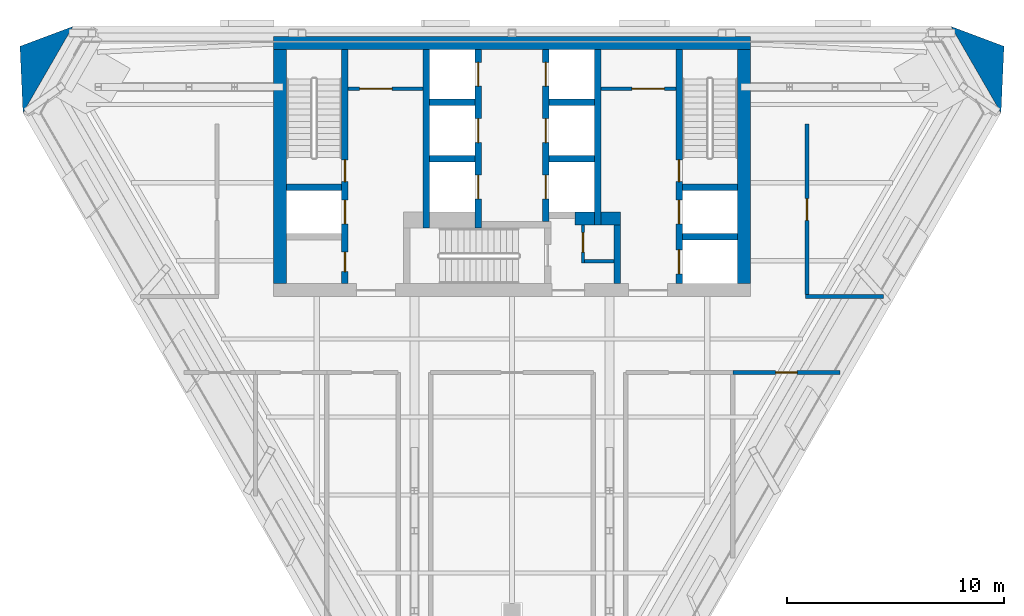
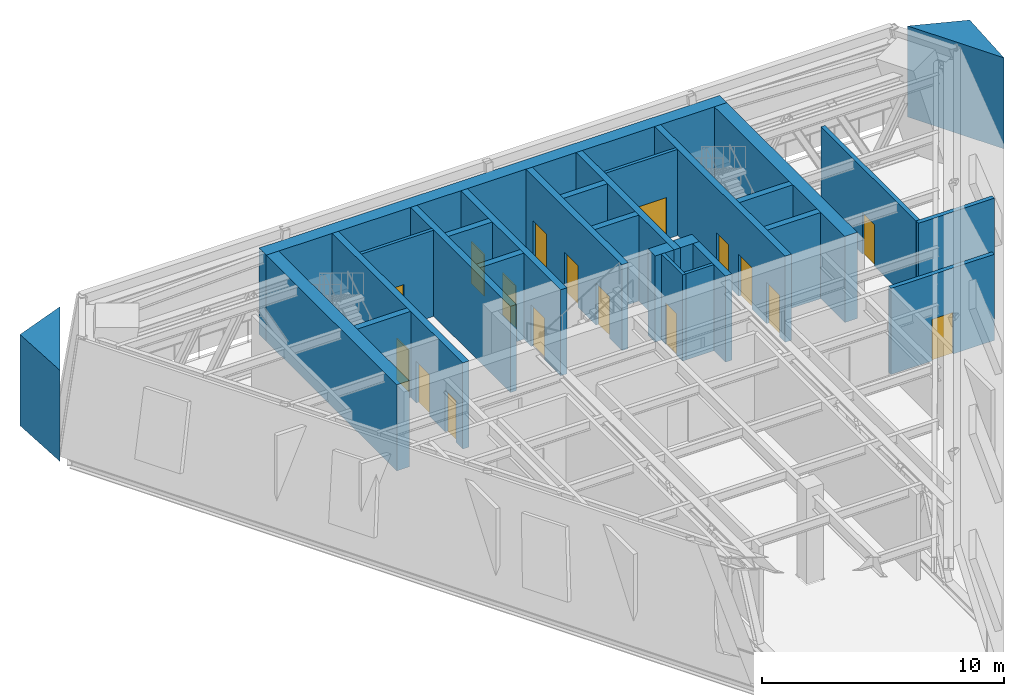
# One storey, part 4 of 11: 28 walls, 17 doors, 17 openings.
"""IFC4 building model written with IfcOpenShell, lengths in metres."""

from ifc_helpers import new_model, si_unit, direction, frame, frame_2d, origin, place, context, subcontext, project, spatial, polyline, rectangle, outline, extrude, material, layer, layer_set, type_object, element, fill, save


model = new_model("IFC4")

# Units and contexts
model_context = context("Model", 3, precision=1e-05, world=origin(), true_north=direction((0.0, 1.0)))
body_context = subcontext(model_context, "Body", "Model", "MODEL_VIEW")
ifc_project = project(units=[si_unit("LENGTHUNIT", "METRE"), si_unit("AREAUNIT", "SQUARE_METRE"), si_unit("VOLUMEUNIT", "CUBIC_METRE"), si_unit("PLANEANGLEUNIT", "RADIAN"), si_unit("MASSUNIT", "GRAM", prefix="KILO")], contexts=[model_context])

# Site, building, storey
site_placement = place(None, origin())
site = spatial("IfcSite", under=ifc_project, at=site_placement, CompositionType="ELEMENT")
building_placement = place(site_placement, origin())
building = spatial("IfcBuilding", under=site, at=building_placement, Name="Aloe Facet Convention Tower", CompositionType="ELEMENT")
storey_placement = place(building_placement, frame((0.0, 0.0, 175.39990234375)))
storey = spatial("IfcBuildingStorey", under=building, at=storey_placement, Name="L44", CompositionType="ELEMENT", Elevation=175.39990234375)

# Wall, opening, door
ifc_material_1 = material(Name="Concrete blockwork partition", Category="masonry")
ifc_layer_1 = layer(ifc_material_1, 0.14990234375)
ifc_layer_set_1 = layer_set([ifc_layer_1], Name="CR-W-PART150")
wall_type_1 = type_object("IfcWallType", Name="CR-W-PART150", PredefinedType="PARTITIONING", material=ifc_layer_set_1)
wall_1_placement = place(storey_placement, frame((72.449951171875, 132.125, 0.0), z_axis=(0.0, 0.0, 1.0), x_axis=(1.0, 0.0, 0.0)))
wall_1 = element("IfcWall", 1, at=wall_1_placement, inside=storey, type_object=wall_type_1, Name="Core partition L44-007", PredefinedType="PARTITIONING", context=body_context, shape_type="SweptSolid", body=[
    extrude(rectangle(XDim=3.449951171875, YDim=0.14990234375, at=frame_2d((1.72509765625, 0.0))), origin(), (0.0, 0.0, 1.0), 4.35009765625),
])
opening_1_placement = place(wall_1_placement, frame((0.52490234375, 0.0, 0.0)))
opening_1 = element("IfcOpeningElement", 2, at=opening_1_placement, cuts=wall_1, Name="Opening L44-CD14", PredefinedType="OPENING", context=body_context, shape_type="SweptSolid", body=[
    extrude(rectangle(XDim=1.5, YDim=2.10009765625, at=frame_2d((0.75, 1.050048828125))), frame((0.0, 0.0849609375, 0.0), z_axis=(0.0, -1.0, 0.0), x_axis=(1.0, 0.0, 0.0)), (0.0, 0.0, 1.0), 0.169921875),
])
ifc_material_2 = material(Name="Steel fire-resisting door set FD60", Category="steel")
door_type_1 = type_object("IfcDoorType", Name="CR-D-REFUGE-1500-FD60-DD", OperationType="DOUBLE_DOOR_DOUBLE_SWING", PredefinedType="DOOR", material=ifc_material_2)
door_1_placement = place(opening_1_placement, origin())
door_1 = element("IfcDoor", 3, at=door_1_placement, inside=storey, type_object=door_type_1, Name="Core door L44-CD14", OperationType="DOUBLE_DOOR_DOUBLE_SWING", OverallHeight=2.10009765625, OverallWidth=1.5, PredefinedType="DOOR", context=body_context, shape_type="SweptSolid", body=[
    extrude(rectangle(XDim=1.5, YDim=2.10009765625, at=frame_2d((0.75, 1.050048828125))), frame((0.0, 0.02490234375, 0.0), z_axis=(0.0, -1.0, 0.0), x_axis=(1.0, 0.0, 0.0)), (0.0, 0.0, 1.0), 0.050048828125),
])
fill(opening_1, door_1)

wall_2_placement = place(storey_placement, frame((83.27490234375, 125.85009765625, 0.0), z_axis=(0.0, 0.0, 1.0), x_axis=(0.0, -1.0, 0.0)))
wall_2 = element("IfcWall", 4, at=wall_2_placement, inside=storey, type_object=wall_type_1, Name="Core partition L44-022", PredefinedType="PARTITIONING", context=body_context, shape_type="SweptSolid", body=[
    extrude(rectangle(XDim=1.75, YDim=0.14990234375, at=frame_2d((0.875, 0.0))), origin(), (0.0, 0.0, 1.0), 4.35009765625),
])
opening_2_placement = place(wall_2_placement, frame((0.35009765625, 0.0, 0.0)))
opening_2 = element("IfcOpeningElement", 5, at=opening_2_placement, cuts=wall_2, Name="Opening L44-CD12", PredefinedType="OPENING", context=body_context, shape_type="SweptSolid", body=[
    extrude(rectangle(XDim=0.89990234375, YDim=2.10009765625, at=frame_2d((0.449951171875, 1.050048828125))), frame((0.0, 0.0849609375, 0.0), z_axis=(0.0, -1.0, 0.0), x_axis=(1.0, 0.0, 0.0)), (0.0, 0.0, 1.0), 0.169921875),
])
ifc_material_3 = material(Name="Steel fire-resisting door set FD60", Category="steel")
door_type_2 = type_object("IfcDoorType", Name="CR-D-REFUGE-900-FD60-SRIGHT", OperationType="SINGLE_SWING_RIGHT", PredefinedType="DOOR", material=ifc_material_3)
door_2_placement = place(opening_2_placement, origin())
door_2 = element("IfcDoor", 6, at=door_2_placement, inside=storey, type_object=door_type_2, Name="Core door L44-CD12", OperationType="SINGLE_SWING_RIGHT", OverallHeight=2.10009765625, OverallWidth=0.89990234375, PredefinedType="DOOR", context=body_context, shape_type="SweptSolid", body=[
    extrude(rectangle(XDim=0.89990234375, YDim=2.10009765625, at=frame_2d((0.449951171875, 1.050048828125))), frame((0.0, 0.02490234375, 0.0), z_axis=(0.0, -1.0, 0.0), x_axis=(1.0, 0.0, 0.0)), (0.0, 0.0, 1.0), 0.050048828125),
])
fill(opening_2, door_2)

# Wall
wall_3_placement = place(storey_placement, frame((83.35009765625, 124.175048828125, 0.0), z_axis=(0.0, 0.0, 1.0), x_axis=(1.0, 0.0, 0.0)))
element("IfcWall", 7, at=wall_3_placement, inside=storey, type_object=wall_type_1, Name="Core partition L44-023", PredefinedType="PARTITIONING", context=body_context, shape_type="SweptSolid", body=[
    extrude(rectangle(XDim=1.349853515625, YDim=0.14990234375, at=frame_2d((0.6748046875, 0.0))), origin(), (0.0, 0.0, 1.0), 4.35009765625),
])

# Wall, opening, door
wall_4_placement = place(storey_placement, frame((84.10009765625, 132.125, 0.0), z_axis=(0.0, 0.0, 1.0), x_axis=(1.0, 0.0, 0.0)))
wall_4 = element("IfcWall", 8, at=wall_4_placement, inside=storey, type_object=wall_type_1, Name="Core partition L44-025", PredefinedType="PARTITIONING", context=body_context, shape_type="SweptSolid", body=[
    extrude(rectangle(XDim=3.449951171875, YDim=0.14990234375, at=frame_2d((1.72509765625, 0.0))), origin(), (0.0, 0.0, 1.0), 4.35009765625),
])
opening_3_placement = place(wall_4_placement, frame((1.425048828125, 0.0, 0.0)))
opening_3 = element("IfcOpeningElement", 9, at=opening_3_placement, cuts=wall_4, Name="Opening L44-CD13", PredefinedType="OPENING", context=body_context, shape_type="SweptSolid", body=[
    extrude(rectangle(XDim=1.5, YDim=2.10009765625, at=frame_2d((0.75, 1.050048828125))), frame((0.0, 0.0849609375, 0.0), z_axis=(0.0, -1.0, 0.0), x_axis=(1.0, 0.0, 0.0)), (0.0, 0.0, 1.0), 0.169921875),
])
door_3_placement = place(opening_3_placement, origin())
door_3 = element("IfcDoor", 10, at=door_3_placement, inside=storey, type_object=door_type_1, Name="Core door L44-CD13", OperationType="DOUBLE_DOOR_DOUBLE_SWING", OverallHeight=2.10009765625, OverallWidth=1.5, PredefinedType="DOOR", context=body_context, shape_type="SweptSolid", body=[
    extrude(rectangle(XDim=1.5, YDim=2.10009765625, at=frame_2d((0.75, 1.050048828125))), frame((0.0, 0.02490234375, 0.0), z_axis=(0.0, -1.0, 0.0), x_axis=(1.0, 0.0, 0.0)), (0.0, 0.0, 1.0), 0.050048828125),
])
fill(opening_3, door_3)

# Wall
ifc_material_4 = material(Name="Concrete C60/75", Category="concrete")
ifc_layer_2 = layer(ifc_material_4, 0.300048828125)
ifc_layer_set_2 = layer_set([ifc_layer_2], Name="CR-W-RC300-C6075")
wall_type_2 = type_object("IfcWallType", Name="CR-W-RC300-C6075", PredefinedType="SOLIDWALL", material=ifc_layer_set_2)
wall_5_placement = place(storey_placement, frame((69.60009765625, 127.60009765625, 0.0), z_axis=(0.0, 0.0, 1.0), x_axis=(1.0, 0.0, 0.0)))
element("IfcWall", 11, at=wall_5_placement, inside=storey, type_object=wall_type_2, Name="Core wall L44-004", PredefinedType="SOLIDWALL", context=body_context, shape_type="SweptSolid", body=[
    extrude(rectangle(XDim=2.5498046875, YDim=0.300048828125, at=frame_2d((1.27490234375, 0.0))), origin(), (0.0, 0.0, 1.0), 4.35009765625),
])

# Wall, openings, doors
wall_6_placement = place(storey_placement, frame((72.300048828125, 133.949951171875, 0.0), z_axis=(0.0, 0.0, 1.0), x_axis=(0.0, -1.0, 0.0)))
wall_6 = element("IfcWall", 12, at=wall_6_placement, inside=storey, type_object=wall_type_2, Name="Core wall L44-006", PredefinedType="SOLIDWALL", context=body_context, shape_type="SweptSolid", body=[
    extrude(rectangle(XDim=10.800048828125, YDim=0.300048828125, at=frame_2d((5.39990234375, 0.0))), origin(), (0.0, 0.0, 1.0), 4.35009765625),
])
opening_4_placement = place(wall_6_placement, frame((6.949951171875, 0.0, 0.0)))
opening_4 = element("IfcOpeningElement", 13, at=opening_4_placement, cuts=wall_6, Name="Opening LD-FF1-L44", PredefinedType="OPENING", context=body_context, shape_type="SweptSolid", body=[
    extrude(rectangle(XDim=1.10009765625, YDim=2.10009765625, at=frame_2d((0.550048828125, 1.050048828125))), frame((0.0, 0.16015625, 0.0), z_axis=(0.0, -1.0, 0.0), x_axis=(1.0, 0.0, 0.0)), (0.0, 0.0, 1.0), 0.320068359375),
])
opening_5_placement = place(wall_6_placement, frame((9.35009765625, 0.0, 0.0)))
opening_5 = element("IfcOpeningElement", 14, at=opening_5_placement, cuts=wall_6, Name="Opening L44-CD15", PredefinedType="OPENING", context=body_context, shape_type="SweptSolid", body=[
    extrude(rectangle(XDim=0.89990234375, YDim=2.10009765625, at=frame_2d((0.449951171875, 1.050048828125))), frame((0.0, 0.16015625, 0.0), z_axis=(0.0, -1.0, 0.0), x_axis=(1.0, 0.0, 0.0)), (0.0, 0.0, 1.0), 0.320068359375),
])
opening_6_placement = place(wall_6_placement, frame((5.10009765625, 0.0, 0.0)))
opening_6 = element("IfcOpeningElement", 15, at=opening_6_placement, cuts=wall_6, Name="Opening L44-CD16", PredefinedType="OPENING", context=body_context, shape_type="SweptSolid", body=[
    extrude(rectangle(XDim=1.0, YDim=2.10009765625, at=frame_2d((0.5, 1.050048828125))), frame((0.0, 0.16015625, 0.0), z_axis=(0.0, -1.0, 0.0), x_axis=(1.0, 0.0, 0.0)), (0.0, 0.0, 1.0), 0.320068359375),
])
ifc_material_5 = material(Name="Steel fire-resisting door set FD60", Category="steel")
door_type_3 = type_object("IfcDoorType", Name="CR-D-ROOM-900-FD60-SLEFT", OperationType="SINGLE_SWING_LEFT", PredefinedType="DOOR", material=ifc_material_5)
door_4_placement = place(opening_5_placement, origin())
door_4 = element("IfcDoor", 16, at=door_4_placement, inside=storey, type_object=door_type_3, Name="Core door L44-CD15", OperationType="SINGLE_SWING_LEFT", OverallHeight=2.10009765625, OverallWidth=0.89990234375, PredefinedType="DOOR", context=body_context, shape_type="SweptSolid", body=[
    extrude(rectangle(XDim=0.89990234375, YDim=2.10009765625, at=frame_2d((0.449951171875, 1.050048828125))), frame((0.0, 0.02490234375, 0.0), z_axis=(0.0, -1.0, 0.0), x_axis=(1.0, 0.0, 0.0)), (0.0, 0.0, 1.0), 0.050048828125),
])
fill(opening_5, door_4)
ifc_material_6 = material(Name="Steel fire-resisting door set FD120", Category="steel")
door_type_4 = type_object("IfcDoorType", Name="CR-D-STAIR-1000-FD120-SRIGHT", OperationType="SINGLE_SWING_RIGHT", PredefinedType="DOOR", material=ifc_material_6)
door_5_placement = place(opening_6_placement, origin())
door_5 = element("IfcDoor", 17, at=door_5_placement, inside=storey, type_object=door_type_4, Name="Core door L44-CD16", OperationType="SINGLE_SWING_RIGHT", OverallHeight=2.10009765625, OverallWidth=1.0, PredefinedType="DOOR", context=body_context, shape_type="SweptSolid", body=[
    extrude(rectangle(XDim=1.0, YDim=2.10009765625, at=frame_2d((0.5, 1.050048828125))), frame((0.0, 0.02490234375, 0.0), z_axis=(0.0, -1.0, 0.0), x_axis=(1.0, 0.0, 0.0)), (0.0, 0.0, 1.0), 0.050048828125),
])
fill(opening_6, door_5)
ifc_material_7 = material(Name="Stainless steel sliding landing door", Category="steel")
door_type_5 = type_object("IfcDoorType", Name="CR-LD-1100-FD120-_LEFT", OperationType="SLIDING_TO_LEFT", PredefinedType="DOOR", material=ifc_material_7)
door_6_placement = place(opening_4_placement, origin())
door_6 = element("IfcDoor", 18, at=door_6_placement, inside=storey, type_object=door_type_5, Name="Landing door FF1 L44", OperationType="SLIDING_TO_LEFT", OverallHeight=2.10009765625, OverallWidth=1.10009765625, PredefinedType="DOOR", context=body_context, shape_type="SweptSolid", body=[
    extrude(rectangle(XDim=1.10009765625, YDim=2.10009765625, at=frame_2d((0.550048828125, 1.050048828125))), frame((0.0, 0.02490234375, 0.0), z_axis=(0.0, -1.0, 0.0), x_axis=(1.0, 0.0, 0.0)), (0.0, 0.0, 1.0), 0.050048828125),
])
fill(opening_4, door_6)

# Walls
wall_7_placement = place(storey_placement, frame((76.050048828125, 133.949951171875, 0.0), z_axis=(0.0, 0.0, 1.0), x_axis=(0.0, -1.0, 0.0)))
element("IfcWall", 19, at=wall_7_placement, inside=storey, type_object=wall_type_2, Name="Core wall L44-010", PredefinedType="SOLIDWALL", context=body_context, shape_type="SweptSolid", body=[
    extrude(rectangle(XDim=8.25, YDim=0.300048828125, at=frame_2d((4.125, 0.0))), origin(), (0.0, 0.0, 1.0), 4.35009765625),
])
for number, where, z_axis, x_axis, name in (
    (20, (76.199951171875, 131.5, 0.0), (0.0, 0.0, 1.0), (1.0, 0.0, 0.0), "Core wall L44-011"),
    (21, (76.199951171875, 128.89990234375, 0.0), (0.0, 0.0, 1.0), (1.0, 0.0, 0.0), "Core wall L44-012"),
):
    element("IfcWall", number, at=place(storey_placement, frame(where, z_axis=z_axis, x_axis=x_axis)), inside=storey, type_object=wall_type_2, Name=name, PredefinedType="SOLIDWALL", context=body_context, shape_type="SweptSolid", body=[
        extrude(rectangle(XDim=2.10009765625, YDim=0.300048828125, at=frame_2d((1.050048828125, 0.0))), origin(), (0.0, 0.0, 1.0), 4.35009765625),
    ])

# Wall, openings, doors
wall_8_placement = place(storey_placement, frame((78.449951171875, 133.949951171875, 0.0), z_axis=(0.0, 0.0, 1.0), x_axis=(0.0, -1.0, 0.0)))
wall_8 = element("IfcWall", 22, at=wall_8_placement, inside=storey, type_object=wall_type_2, Name="Core wall L44-014", PredefinedType="SOLIDWALL", context=body_context, shape_type="SweptSolid", body=[
    extrude(rectangle(XDim=8.25, YDim=0.300048828125, at=frame_2d((4.125, 0.0))), origin(), (0.0, 0.0, 1.0), 4.35009765625),
])
opening_7_placement = place(wall_8_placement, frame((0.60009765625, 0.0, 0.0)))
opening_7 = element("IfcOpeningElement", 23, at=opening_7_placement, cuts=wall_8, Name="Opening LD-B1-L44", PredefinedType="OPENING", context=body_context, shape_type="SweptSolid", body=[
    extrude(rectangle(XDim=1.10009765625, YDim=2.10009765625, at=frame_2d((0.550048828125, 1.050048828125))), frame((0.0, 0.16015625, 0.0), z_axis=(0.0, -1.0, 0.0), x_axis=(1.0, 0.0, 0.0)), (0.0, 0.0, 1.0), 0.320068359375),
])
opening_8_placement = place(wall_8_placement, frame((3.199951171875, 0.0, 0.0)))
opening_8 = element("IfcOpeningElement", 24, at=opening_8_placement, cuts=wall_8, Name="Opening LD-B2-L44", PredefinedType="OPENING", context=body_context, shape_type="SweptSolid", body=[
    extrude(rectangle(XDim=1.10009765625, YDim=2.10009765625, at=frame_2d((0.550048828125, 1.050048828125))), frame((0.0, 0.16015625, 0.0), z_axis=(0.0, -1.0, 0.0), x_axis=(1.0, 0.0, 0.0)), (0.0, 0.0, 1.0), 0.320068359375),
])
opening_9_placement = place(wall_8_placement, frame((5.800048828125, 0.0, 0.0)))
opening_9 = element("IfcOpeningElement", 25, at=opening_9_placement, cuts=wall_8, Name="Opening LD-B3-L44", PredefinedType="OPENING", context=body_context, shape_type="SweptSolid", body=[
    extrude(rectangle(XDim=1.10009765625, YDim=2.10009765625, at=frame_2d((0.550048828125, 1.050048828125))), frame((0.0, 0.16015625, 0.0), z_axis=(0.0, -1.0, 0.0), x_axis=(1.0, 0.0, 0.0)), (0.0, 0.0, 1.0), 0.320068359375),
])
ifc_material_8 = material(Name="Stainless steel sliding landing door", Category="steel")
door_type_6 = type_object("IfcDoorType", Name="CR-LD-1100-FD60-RIGHT", OperationType="SLIDING_TO_RIGHT", PredefinedType="DOOR", material=ifc_material_8)
door_7_placement = place(opening_7_placement, origin())
door_7 = element("IfcDoor", 26, at=door_7_placement, inside=storey, type_object=door_type_6, Name="Landing door B1 L44", OperationType="SLIDING_TO_RIGHT", OverallHeight=2.10009765625, OverallWidth=1.10009765625, PredefinedType="DOOR", context=body_context, shape_type="SweptSolid", body=[
    extrude(rectangle(XDim=1.10009765625, YDim=2.10009765625, at=frame_2d((0.550048828125, 1.050048828125))), frame((0.0, 0.02490234375, 0.0), z_axis=(0.0, -1.0, 0.0), x_axis=(1.0, 0.0, 0.0)), (0.0, 0.0, 1.0), 0.050048828125),
])
fill(opening_7, door_7)
door_8_placement = place(opening_8_placement, origin())
door_8 = element("IfcDoor", 27, at=door_8_placement, inside=storey, type_object=door_type_6, Name="Landing door B2 L44", OperationType="SLIDING_TO_RIGHT", OverallHeight=2.10009765625, OverallWidth=1.10009765625, PredefinedType="DOOR", context=body_context, shape_type="SweptSolid", body=[
    extrude(rectangle(XDim=1.10009765625, YDim=2.10009765625, at=frame_2d((0.550048828125, 1.050048828125))), frame((0.0, 0.02490234375, 0.0), z_axis=(0.0, -1.0, 0.0), x_axis=(1.0, 0.0, 0.0)), (0.0, 0.0, 1.0), 0.050048828125),
])
fill(opening_8, door_8)
door_9_placement = place(opening_9_placement, origin())
door_9 = element("IfcDoor", 28, at=door_9_placement, inside=storey, type_object=door_type_6, Name="Landing door B3 L44", OperationType="SLIDING_TO_RIGHT", OverallHeight=2.10009765625, OverallWidth=1.10009765625, PredefinedType="DOOR", context=body_context, shape_type="SweptSolid", body=[
    extrude(rectangle(XDim=1.10009765625, YDim=2.10009765625, at=frame_2d((0.550048828125, 1.050048828125))), frame((0.0, 0.02490234375, 0.0), z_axis=(0.0, -1.0, 0.0), x_axis=(1.0, 0.0, 0.0)), (0.0, 0.0, 1.0), 0.050048828125),
])
fill(opening_9, door_9)

wall_9_placement = place(storey_placement, frame((81.550048828125, 133.949951171875, 0.0), z_axis=(0.0, 0.0, 1.0), x_axis=(0.0, -1.0, 0.0)))
wall_9 = element("IfcWall", 29, at=wall_9_placement, inside=storey, type_object=wall_type_2, Name="Core wall L44-016", PredefinedType="SOLIDWALL", context=body_context, shape_type="SweptSolid", body=[
    extrude(rectangle(XDim=7.949951171875, YDim=0.300048828125, at=frame_2d((3.97509765625, 0.0))), origin(), (0.0, 0.0, 1.0), 4.35009765625),
])
opening_10_placement = place(wall_9_placement, frame((0.60009765625, 0.0, 0.0)))
opening_10 = element("IfcOpeningElement", 30, at=opening_10_placement, cuts=wall_9, Name="Opening LD-B4-L44", PredefinedType="OPENING", context=body_context, shape_type="SweptSolid", body=[
    extrude(rectangle(XDim=1.10009765625, YDim=2.10009765625, at=frame_2d((0.550048828125, 1.050048828125))), frame((0.0, 0.16015625, 0.0), z_axis=(0.0, -1.0, 0.0), x_axis=(1.0, 0.0, 0.0)), (0.0, 0.0, 1.0), 0.320068359375),
])
opening_11_placement = place(wall_9_placement, frame((3.199951171875, 0.0, 0.0)))
opening_11 = element("IfcOpeningElement", 31, at=opening_11_placement, cuts=wall_9, Name="Opening LD-B5-L44", PredefinedType="OPENING", context=body_context, shape_type="SweptSolid", body=[
    extrude(rectangle(XDim=1.10009765625, YDim=2.10009765625, at=frame_2d((0.550048828125, 1.050048828125))), frame((0.0, 0.16015625, 0.0), z_axis=(0.0, -1.0, 0.0), x_axis=(1.0, 0.0, 0.0)), (0.0, 0.0, 1.0), 0.320068359375),
])
opening_12_placement = place(wall_9_placement, frame((5.800048828125, 0.0, 0.0)))
opening_12 = element("IfcOpeningElement", 32, at=opening_12_placement, cuts=wall_9, Name="Opening LD-B6-L44", PredefinedType="OPENING", context=body_context, shape_type="SweptSolid", body=[
    extrude(rectangle(XDim=1.10009765625, YDim=2.10009765625, at=frame_2d((0.550048828125, 1.050048828125))), frame((0.0, 0.16015625, 0.0), z_axis=(0.0, -1.0, 0.0), x_axis=(1.0, 0.0, 0.0)), (0.0, 0.0, 1.0), 0.320068359375),
])
ifc_material_9 = material(Name="Stainless steel sliding landing door", Category="steel")
door_type_7 = type_object("IfcDoorType", Name="CR-LD-1100-FD60-_LEFT", OperationType="SLIDING_TO_LEFT", PredefinedType="DOOR", material=ifc_material_9)
door_10_placement = place(opening_10_placement, origin())
door_10 = element("IfcDoor", 33, at=door_10_placement, inside=storey, type_object=door_type_7, Name="Landing door B4 L44", OperationType="SLIDING_TO_LEFT", OverallHeight=2.10009765625, OverallWidth=1.10009765625, PredefinedType="DOOR", context=body_context, shape_type="SweptSolid", body=[
    extrude(rectangle(XDim=1.10009765625, YDim=2.10009765625, at=frame_2d((0.550048828125, 1.050048828125))), frame((0.0, 0.02490234375, 0.0), z_axis=(0.0, -1.0, 0.0), x_axis=(1.0, 0.0, 0.0)), (0.0, 0.0, 1.0), 0.050048828125),
])
fill(opening_10, door_10)
door_11_placement = place(opening_11_placement, origin())
door_11 = element("IfcDoor", 34, at=door_11_placement, inside=storey, type_object=door_type_7, Name="Landing door B5 L44", OperationType="SLIDING_TO_LEFT", OverallHeight=2.10009765625, OverallWidth=1.10009765625, PredefinedType="DOOR", context=body_context, shape_type="SweptSolid", body=[
    extrude(rectangle(XDim=1.10009765625, YDim=2.10009765625, at=frame_2d((0.550048828125, 1.050048828125))), frame((0.0, 0.02490234375, 0.0), z_axis=(0.0, -1.0, 0.0), x_axis=(1.0, 0.0, 0.0)), (0.0, 0.0, 1.0), 0.050048828125),
])
fill(opening_11, door_11)
door_12_placement = place(opening_12_placement, origin())
door_12 = element("IfcDoor", 35, at=door_12_placement, inside=storey, type_object=door_type_7, Name="Landing door B6 L44", OperationType="SLIDING_TO_LEFT", OverallHeight=2.10009765625, OverallWidth=1.10009765625, PredefinedType="DOOR", context=body_context, shape_type="SweptSolid", body=[
    extrude(rectangle(XDim=1.10009765625, YDim=2.10009765625, at=frame_2d((0.550048828125, 1.050048828125))), frame((0.0, 0.02490234375, 0.0), z_axis=(0.0, -1.0, 0.0), x_axis=(1.0, 0.0, 0.0)), (0.0, 0.0, 1.0), 0.050048828125),
])
fill(opening_12, door_12)

# Walls
for number, where, z_axis, x_axis, name in (
    (36, (81.699951171875, 131.5, 0.0), (0.0, 0.0, 1.0), (1.0, 0.0, 0.0), "Core wall L44-018"),
    (37, (81.699951171875, 128.89990234375, 0.0), (0.0, 0.0, 1.0), (1.0, 0.0, 0.0), "Core wall L44-019"),
):
    element("IfcWall", number, at=place(storey_placement, frame(where, z_axis=z_axis, x_axis=x_axis)), inside=storey, type_object=wall_type_2, Name=name, PredefinedType="SOLIDWALL", context=body_context, shape_type="SweptSolid", body=[
        extrude(rectangle(XDim=2.10009765625, YDim=0.300048828125, at=frame_2d((1.050048828125, 0.0))), origin(), (0.0, 0.0, 1.0), 4.35009765625),
    ])
wall_10_placement = place(storey_placement, frame((83.949951171875, 133.949951171875, 0.0), z_axis=(0.0, 0.0, 1.0), x_axis=(0.0, -1.0, 0.0)))
element("IfcWall", 38, at=wall_10_placement, inside=storey, type_object=wall_type_2, Name="Core wall L44-024", PredefinedType="SOLIDWALL", context=body_context, shape_type="SweptSolid", body=[
    extrude(rectangle(XDim=8.099853515625, YDim=0.300048828125, at=frame_2d((4.0498046875, 0.0))), origin(), (0.0, 0.0, 1.0), 4.35009765625),
])
wall_11_placement = place(storey_placement, frame((84.85009765625, 125.85009765625, 0.0), z_axis=(0.0, 0.0, 1.0), x_axis=(0.0, -1.0, 0.0)))
element("IfcWall", 39, at=wall_11_placement, inside=storey, type_object=wall_type_2, Name="Core wall L44-027", PredefinedType="SOLIDWALL", context=body_context, shape_type="SweptSolid", body=[
    extrude(rectangle(XDim=2.7001953125, YDim=0.300048828125, at=frame_2d((1.35009765625, 0.0))), origin(), (0.0, 0.0, 1.0), 4.35009765625),
])

# Wall, openings, doors
wall_12_placement = place(storey_placement, frame((87.699951171875, 133.949951171875, 0.0), z_axis=(0.0, 0.0, 1.0), x_axis=(0.0, -1.0, 0.0)))
wall_12 = element("IfcWall", 40, at=wall_12_placement, inside=storey, type_object=wall_type_2, Name="Core wall L44-028", PredefinedType="SOLIDWALL", context=body_context, shape_type="SweptSolid", body=[
    extrude(rectangle(XDim=10.800048828125, YDim=0.300048828125, at=frame_2d((5.39990234375, 0.0))), origin(), (0.0, 0.0, 1.0), 4.35009765625),
])
opening_13_placement = place(wall_12_placement, frame((6.949951171875, 0.0, 0.0)))
opening_13 = element("IfcOpeningElement", 41, at=opening_13_placement, cuts=wall_12, Name="Opening LD-FF2-L44", PredefinedType="OPENING", context=body_context, shape_type="SweptSolid", body=[
    extrude(rectangle(XDim=1.10009765625, YDim=2.10009765625, at=frame_2d((0.550048828125, 1.050048828125))), frame((0.0, 0.16015625, 0.0), z_axis=(0.0, -1.0, 0.0), x_axis=(1.0, 0.0, 0.0)), (0.0, 0.0, 1.0), 0.320068359375),
])
opening_14_placement = place(wall_12_placement, frame((5.10009765625, 0.0, 0.0)))
opening_14 = element("IfcOpeningElement", 42, at=opening_14_placement, cuts=wall_12, Name="Opening L44-CD17", PredefinedType="OPENING", context=body_context, shape_type="SweptSolid", body=[
    extrude(rectangle(XDim=1.0, YDim=2.10009765625, at=frame_2d((0.5, 1.050048828125))), frame((0.0, 0.16015625, 0.0), z_axis=(0.0, -1.0, 0.0), x_axis=(1.0, 0.0, 0.0)), (0.0, 0.0, 1.0), 0.320068359375),
])
opening_15_placement = place(wall_12_placement, frame((9.25, 0.0, 0.0)))
opening_15 = element("IfcOpeningElement", 43, at=opening_15_placement, cuts=wall_12, Name="Opening LD-SV1-L44", PredefinedType="OPENING", context=body_context, shape_type="SweptSolid", body=[
    extrude(rectangle(XDim=1.10009765625, YDim=2.10009765625, at=frame_2d((0.550048828125, 1.050048828125))), frame((0.0, 0.16015625, 0.0), z_axis=(0.0, -1.0, 0.0), x_axis=(1.0, 0.0, 0.0)), (0.0, 0.0, 1.0), 0.320068359375),
])
ifc_material_10 = material(Name="Steel fire-resisting door set FD120", Category="steel")
door_type_8 = type_object("IfcDoorType", Name="CR-D-STAIR-1000-FD120-SLEFT", OperationType="SINGLE_SWING_LEFT", PredefinedType="DOOR", material=ifc_material_10)
door_13_placement = place(opening_14_placement, origin())
door_13 = element("IfcDoor", 44, at=door_13_placement, inside=storey, type_object=door_type_8, Name="Core door L44-CD17", OperationType="SINGLE_SWING_LEFT", OverallHeight=2.10009765625, OverallWidth=1.0, PredefinedType="DOOR", context=body_context, shape_type="SweptSolid", body=[
    extrude(rectangle(XDim=1.0, YDim=2.10009765625, at=frame_2d((0.5, 1.050048828125))), frame((0.0, 0.02490234375, 0.0), z_axis=(0.0, -1.0, 0.0), x_axis=(1.0, 0.0, 0.0)), (0.0, 0.0, 1.0), 0.050048828125),
])
fill(opening_14, door_13)
door_14_placement = place(opening_13_placement, origin())
door_14 = element("IfcDoor", 45, at=door_14_placement, inside=storey, type_object=door_type_5, Name="Landing door FF2 L44", OperationType="SLIDING_TO_LEFT", OverallHeight=2.10009765625, OverallWidth=1.10009765625, PredefinedType="DOOR", context=body_context, shape_type="SweptSolid", body=[
    extrude(rectangle(XDim=1.10009765625, YDim=2.10009765625, at=frame_2d((0.550048828125, 1.050048828125))), frame((0.0, 0.02490234375, 0.0), z_axis=(0.0, -1.0, 0.0), x_axis=(1.0, 0.0, 0.0)), (0.0, 0.0, 1.0), 0.050048828125),
])
fill(opening_13, door_14)
door_15_placement = place(opening_15_placement, origin())
door_15 = element("IfcDoor", 46, at=door_15_placement, inside=storey, type_object=door_type_5, Name="Landing door SV1 L44", OperationType="SLIDING_TO_LEFT", OverallHeight=2.10009765625, OverallWidth=1.10009765625, PredefinedType="DOOR", context=body_context, shape_type="SweptSolid", body=[
    extrude(rectangle(XDim=1.10009765625, YDim=2.10009765625, at=frame_2d((0.550048828125, 1.050048828125))), frame((0.0, 0.02490234375, 0.0), z_axis=(0.0, -1.0, 0.0), x_axis=(1.0, 0.0, 0.0)), (0.0, 0.0, 1.0), 0.050048828125),
])
fill(opening_15, door_15)

# Walls
for number, where, z_axis, x_axis, name in (
    (47, (87.85009765625, 127.60009765625, 0.0), (0.0, 0.0, 1.0), (1.0, 0.0, 0.0), "Core wall L44-029"),
    (48, (87.85009765625, 125.300048828125, 0.0), (0.0, 0.0, 1.0), (1.0, 0.0, 0.0), "Core wall L44-030"),
):
    element("IfcWall", number, at=place(storey_placement, frame(where, z_axis=z_axis, x_axis=x_axis)), inside=storey, type_object=wall_type_2, Name=name, PredefinedType="SOLIDWALL", context=body_context, shape_type="SweptSolid", body=[
        extrude(rectangle(XDim=2.5498046875, YDim=0.300048828125, at=frame_2d((1.27490234375, 0.0))), origin(), (0.0, 0.0, 1.0), 4.35009765625),
    ])
ifc_material_11 = material(Name="Concrete C60/75", Category="concrete")
ifc_layer_3 = layer(ifc_material_11, 0.60009765625)
ifc_layer_set_3 = layer_set([ifc_layer_3], Name="CR-W-RC600-C6075")
wall_type_3 = type_object("IfcWallType", Name="CR-W-RC600-C6075", PredefinedType="SOLIDWALL", material=ifc_layer_set_3)
wall_13_placement = place(storey_placement, frame((69.0, 134.25, 0.0), z_axis=(0.0, 0.0, 1.0), x_axis=(1.0, 0.0, 0.0)))
element("IfcWall", 49, at=wall_13_placement, inside=storey, type_object=wall_type_3, Name="Core wall L44-001", PredefinedType="SOLIDWALL", context=body_context, shape_type="SweptSolid", body=[
    extrude(rectangle(XDim=22.0, YDim=0.60009765625, at=frame_2d((11.0, 0.0))), origin(), (0.0, 0.0, 1.0), 4.35009765625),
])
wall_14_placement = place(storey_placement, frame((69.300048828125, 133.949951171875, 0.0), z_axis=(0.0, 0.0, 1.0), x_axis=(0.0, -1.0, 0.0)))
element("IfcWall", 50, at=wall_14_placement, inside=storey, type_object=wall_type_3, Name="Core wall L44-002", PredefinedType="SOLIDWALL", context=body_context, shape_type="SweptSolid", body=[
    extrude(rectangle(XDim=10.800048828125, YDim=0.60009765625, at=frame_2d((5.39990234375, 0.0))), origin(), (0.0, 0.0, 1.0), 4.35009765625),
])
wall_15_placement = place(storey_placement, frame((82.89990234375, 126.14990234375, 0.0), z_axis=(0.0, 0.0, 1.0), x_axis=(1.0, 0.0, 0.0)))
element("IfcWall", 51, at=wall_15_placement, inside=storey, type_object=wall_type_3, Name="Core wall L44-021", PredefinedType="SOLIDWALL", context=body_context, shape_type="SweptSolid", body=[
    extrude(rectangle(XDim=0.900146484375, YDim=0.60009765625, at=frame_2d((0.4501953125, 0.0))), origin(), (0.0, 0.0, 1.0), 4.35009765625),
])
wall_16_placement = place(storey_placement, frame((84.10009765625, 126.14990234375, 0.0), z_axis=(0.0, 0.0, 1.0), x_axis=(1.0, 0.0, 0.0)))
element("IfcWall", 52, at=wall_16_placement, inside=storey, type_object=wall_type_3, Name="Core wall L44-026", PredefinedType="SOLIDWALL", context=body_context, shape_type="SweptSolid", body=[
    extrude(rectangle(XDim=0.89990234375, YDim=0.60009765625, at=frame_2d((0.449951171875, 0.0))), origin(), (0.0, 0.0, 1.0), 4.35009765625),
])
wall_17_placement = place(storey_placement, frame((90.699951171875, 133.949951171875, 0.0), z_axis=(0.0, 0.0, 1.0), x_axis=(0.0, -1.0, 0.0)))
element("IfcWall", 53, at=wall_17_placement, inside=storey, type_object=wall_type_3, Name="Core wall L44-031", PredefinedType="SOLIDWALL", context=body_context, shape_type="SweptSolid", body=[
    extrude(rectangle(XDim=10.800048828125, YDim=0.60009765625, at=frame_2d((5.39990234375, 0.0))), origin(), (0.0, 0.0, 1.0), 4.35009765625),
])
ifc_material_12 = material(Name="Precast concrete C40/50", Category="concrete")
ifc_layer_4 = layer(ifc_material_12, 3.947998046875)
ifc_layer_set_4 = layer_set([ifc_layer_4], Name="EV-WALL-SPINE")
wall_type_4 = type_object("IfcWallType", Name="EV-WALL-SPINE", PredefinedType="SOLIDWALL", material=ifc_layer_set_4)
wall_18_placement = place(storey_placement, frame((0.0, 0.0, -0.25)))
element("IfcWall", 54, at=wall_18_placement, inside=storey, type_object=wall_type_4, Name="SP-NW-L44", PredefinedType="SOLIDWALL", context=body_context, shape_type="SweptSolid", body=[
    extrude(outline(polyline([(59.7568359375, 135.0), (57.31884765625, 134.088134765625), (57.45703125, 131.016357421875), (59.7568359375, 135.0)])), origin(), (0.0, 0.0, 1.0), 4.60009765625),
])
wall_19_placement = place(storey_placement, frame((0.0, 0.0, -0.25)))
element("IfcWall", 55, at=wall_19_placement, inside=storey, type_object=wall_type_4, Name="SP-NE-L44", PredefinedType="SOLIDWALL", context=body_context, shape_type="SweptSolid", body=[
    extrude(outline(polyline([(102.54296875, 131.016357421875), (102.68115234375, 134.088134765625), (100.2431640625, 135.0), (102.54296875, 131.016357421875)])), origin(), (0.0, 0.0, 1.0), 4.60009765625),
])

# Wall, opening, door
ifc_material_13 = material(Name="Masonry blockwork wall, plastered", Category="masonry")
ifc_layer_5 = layer(ifc_material_13, 0.199951171875)
ifc_layer_set_5 = layer_set([ifc_layer_5], Name="IN-POD-W-PLANT")
wall_type_5 = type_object("IfcWallType", Name="IN-POD-W-PLANT", PredefinedType="PARTITIONING", material=ifc_layer_set_5)
wall_20_placement = place(storey_placement, frame((90.182373046875, 119.050048828125, 0.0), z_axis=(0.0, 0.0, 1.0), x_axis=(1.0, 0.0, 0.0)))
wall_20 = element("IfcWall", 56, at=wall_20_placement, inside=storey, type_object=wall_type_5, Name="Partition L44-W009", PredefinedType="PARTITIONING", context=body_context, shape_type="SweptSolid", body=[
    extrude(rectangle(XDim=4.932373046875, YDim=0.199951171875, at=frame_2d((2.46630859375, 0.0))), origin(), (0.0, 0.0, 1.0), 4.35009765625),
])
opening_16_placement = place(wall_20_placement, frame((1.966064453125, 0.0, 0.0)))
opening_16 = element("IfcOpeningElement", 57, at=opening_16_placement, cuts=wall_20, Name="Opening L44-008", PredefinedType="OPENING", context=body_context, shape_type="SweptSolid", body=[
    extrude(rectangle(XDim=1.0, YDim=2.10009765625, at=frame_2d((0.5, 1.050048828125))), frame((0.0, 0.10986328125, 0.0), z_axis=(0.0, -1.0, 0.0), x_axis=(1.0, 0.0, 0.0)), (0.0, 0.0, 1.0), 0.219970703125),
])
ifc_material_14 = material(Name="Steel flush door, galvanised", Category="steel")
door_type_9 = type_object("IfcDoorType", Name="IN-POD-D-PLANT", OperationType="SINGLE_SWING_LEFT", PredefinedType="DOOR", material=ifc_material_14)
door_16_placement = place(opening_16_placement, origin())
door_16 = element("IfcDoor", 58, at=door_16_placement, inside=storey, type_object=door_type_9, Name="Door L44-008", OperationType="SINGLE_SWING_LEFT", OverallHeight=2.10009765625, OverallWidth=1.0, PredefinedType="DOOR", context=body_context, shape_type="SweptSolid", body=[
    extrude(rectangle(XDim=1.0, YDim=2.10009765625, at=frame_2d((0.5, 1.050048828125))), frame((0.0, 0.02490234375, 0.0), z_axis=(0.0, -1.0, 0.0), x_axis=(1.0, 0.0, 0.0)), (0.0, 0.0, 1.0), 0.050048828125),
])
fill(opening_16, door_16)

# Wall
wall_21_placement = place(storey_placement, frame((93.52490234375, 122.550048828125, 0.0), z_axis=(0.0, 0.0, 1.0), x_axis=(1.0, 0.0, 0.0)))
element("IfcWall", 59, at=wall_21_placement, inside=storey, type_object=wall_type_5, Name="Partition L44-W012", PredefinedType="PARTITIONING", context=body_context, shape_type="SweptSolid", body=[
    extrude(rectangle(XDim=3.610595703125, YDim=0.199951171875, at=frame_2d((1.80517578125, 0.0))), origin(), (0.0, 0.0, 1.0), 4.35009765625),
])

# Wall, opening, door
wall_22_placement = place(storey_placement, frame((93.60009765625, 122.635009765625, 0.0), z_axis=(0.0, 0.0, 1.0), x_axis=(0.0, 1.0, 0.0)))
wall_22 = element("IfcWall", 60, at=wall_22_placement, inside=storey, type_object=wall_type_5, Name="Partition L44-W013", PredefinedType="PARTITIONING", context=body_context, shape_type="SweptSolid", body=[
    extrude(rectangle(XDim=7.864990234375, YDim=0.199951171875, at=frame_2d((3.9326171875, 0.0))), origin(), (0.0, 0.0, 1.0), 4.35009765625),
])
opening_17_placement = place(wall_22_placement, frame((3.4326171875, 0.0, 0.0)))
opening_17 = element("IfcOpeningElement", 61, at=opening_17_placement, cuts=wall_22, Name="Opening L44-002", PredefinedType="OPENING", context=body_context, shape_type="SweptSolid", body=[
    extrude(rectangle(XDim=1.0, YDim=2.10009765625, at=frame_2d((0.5, 1.050048828125))), frame((0.0, 0.10986328125, 0.0), z_axis=(0.0, -1.0, 0.0), x_axis=(1.0, 0.0, 0.0)), (0.0, 0.0, 1.0), 0.219970703125),
])
door_17_placement = place(opening_17_placement, origin())
door_17 = element("IfcDoor", 62, at=door_17_placement, inside=storey, type_object=door_type_9, Name="Door L44-002", OperationType="SINGLE_SWING_LEFT", OverallHeight=2.10009765625, OverallWidth=1.0, PredefinedType="DOOR", context=body_context, shape_type="SweptSolid", body=[
    extrude(rectangle(XDim=1.0, YDim=2.10009765625, at=frame_2d((0.5, 1.050048828125))), frame((0.0, 0.02490234375, 0.0), z_axis=(0.0, -1.0, 0.0), x_axis=(1.0, 0.0, 0.0)), (0.0, 0.0, 1.0), 0.050048828125),
])
fill(opening_17, door_17)

save(model, "model.ifc")
